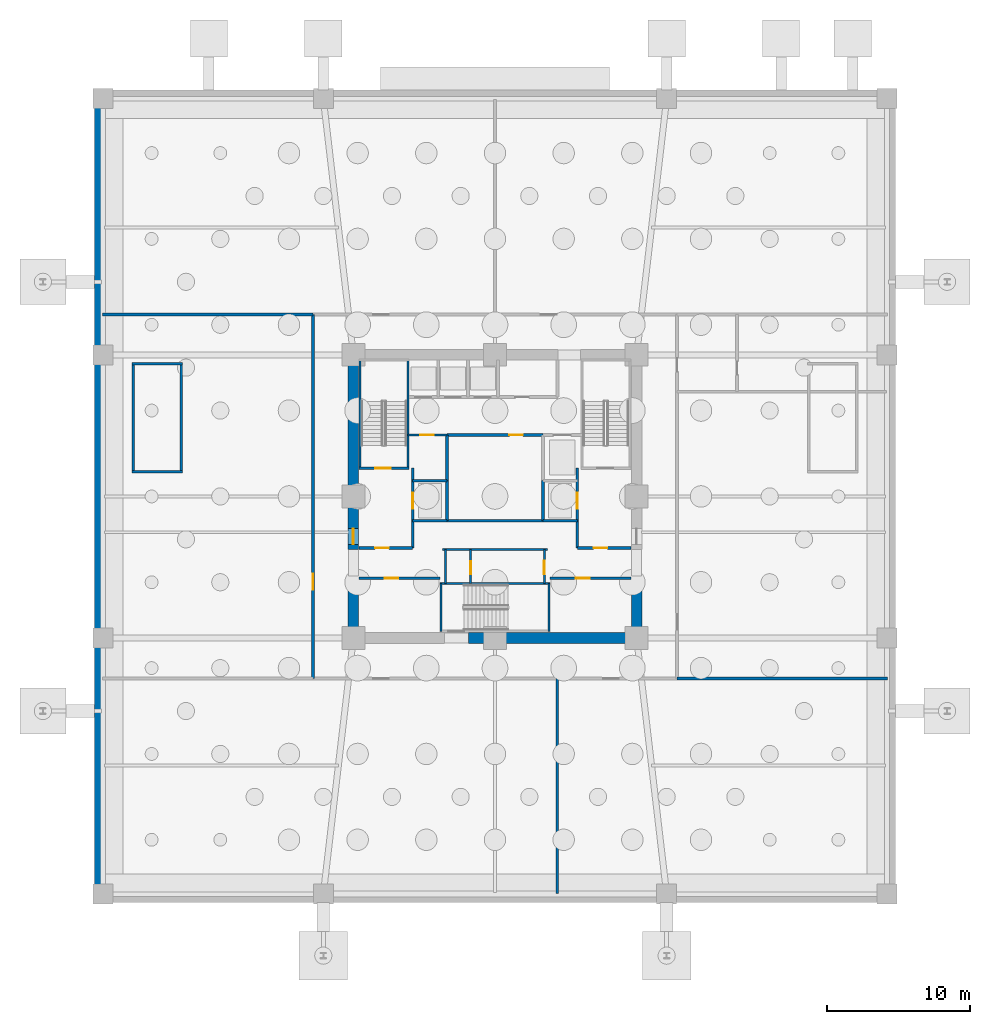
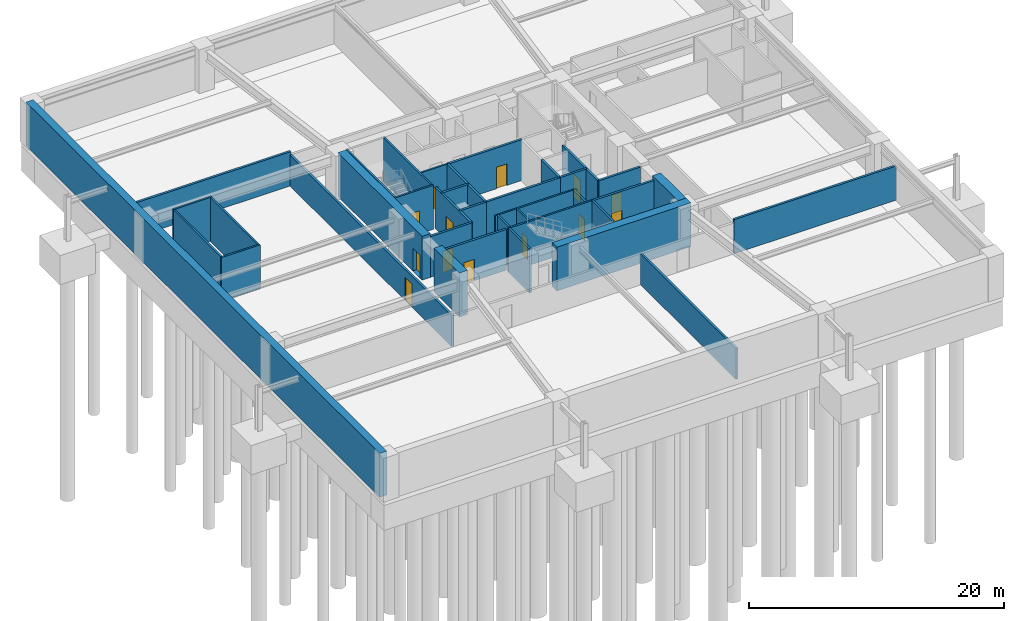
# One storey, part 4 of 8: 38 walls, 13 doors, 13 openings.
"""IFC4 building model written with IfcOpenShell, lengths in metres."""

from ifc_helpers import new_model, si_unit, direction, frame, frame_2d, origin, place, context, subcontext, project, spatial, rectangle, extrude, material, layer, layer_set, type_object, element, fill, save


model = new_model("IFC4")

# Units and contexts
model_context = context("Model", 3, precision=1e-05, world=origin(), true_north=direction((0.0, 1.0)))
body_context = subcontext(model_context, "Body", "Model", "MODEL_VIEW")
ifc_project = project(units=[si_unit("LENGTHUNIT", "METRE"), si_unit("AREAUNIT", "SQUARE_METRE"), si_unit("VOLUMEUNIT", "CUBIC_METRE"), si_unit("PLANEANGLEUNIT", "RADIAN"), si_unit("MASSUNIT", "GRAM", prefix="KILO")], contexts=[model_context])

# Site, building, storey
site_placement = place(None, origin())
site = spatial("IfcSite", under=ifc_project, at=site_placement, CompositionType="ELEMENT")
building_placement = place(site_placement, origin())
building = spatial("IfcBuilding", under=site, at=building_placement, Name="Kolvaren Belvedere", CompositionType="ELEMENT")
storey_placement = place(building_placement, frame((0.0, 0.0, -12.60009765625)))
storey = spatial("IfcBuildingStorey", under=building, at=storey_placement, Name="B03", CompositionType="ELEMENT", Elevation=-12.60009765625)

# Walls
ifc_material_1 = material(Name="Concrete C60/75", Category="concrete")
ifc_layer_1 = layer(ifc_material_1, 0.75)
ifc_layer_set_1 = layer_set([ifc_layer_1], Name="Concrete C60/75")
wall_type_1 = type_object("IfcWallType", Name="CW-CORE-750", PredefinedType="SHEAR", material=ifc_layer_set_1)
wall_1_placement = place(storey_placement, frame((10.27490234375, -9.89990234375, 0.0), z_axis=(0.0, 0.0, 1.0), x_axis=(-1.0, 0.0, 0.0)))
element("IfcWall", 1, at=wall_1_placement, inside=storey, type_object=wall_type_1, Name="B03 South Core Shear Wall 1", PredefinedType="SHEAR", context=body_context, shape_type="SweptSolid", body=[
    extrude(rectangle(XDim=12.135009765625, YDim=0.75, at=frame_2d((6.0673828125, 0.0))), origin(), (0.0, 0.0, 1.0), 4.2001953125),
])
for number, where, z_axis, x_axis, name in (
    (2, (-9.89990234375, -9.52490234375, 0.0), (0.0, 0.0, 1.0), (0.0, 1.0, 0.0), "B03 West Core Shear Wall 1"),
    (3, (9.89990234375, -9.52490234375, 0.0), (0.0, 0.0, 1.0), (0.0, 1.0, 0.0), "B03 East Core Shear Wall 1"),
):
    element("IfcWall", number, at=place(storey_placement, frame(where, z_axis=z_axis, x_axis=x_axis)), inside=storey, type_object=wall_type_1, Name=name, PredefinedType="SHEAR", context=body_context, shape_type="SweptSolid", body=[
        extrude(rectangle(XDim=3.974853515625, YDim=0.75, at=frame_2d((1.9873046875, 0.0))), origin(), (0.0, 0.0, 1.0), 4.2001953125),
    ])

# Wall, opening, door
wall_2_placement = place(storey_placement, frame((-9.89990234375, -3.699951171875, 0.0), z_axis=(0.0, 0.0, 1.0), x_axis=(0.0, 1.0, 0.0)))
wall_2 = element("IfcWall", 4, at=wall_2_placement, inside=storey, type_object=wall_type_1, Name="B03 West Core Shear Wall 2", PredefinedType="SHEAR", context=body_context, shape_type="SweptSolid", body=[
    extrude(rectangle(XDim=13.224853515625, YDim=0.75, at=frame_2d((6.6123046875, 0.0))), origin(), (0.0, 0.0, 1.0), 4.2001953125),
])
opening_1_placement = place(wall_2_placement, frame((0.35009765625, 0.0, 0.0)))
opening_1 = element("IfcOpeningElement", 5, at=opening_1_placement, cuts=wall_2, Name="Opening D-FD90", PredefinedType="OPENING", context=body_context, shape_type="SweptSolid", body=[
    extrude(rectangle(XDim=1.10009765625, YDim=2.199951171875, at=frame_2d((0.550048828125, 1.10009765625))), frame((0.0, 0.385009765625, 0.0), z_axis=(0.0, -1.0, 0.0), x_axis=(1.0, 0.0, 0.0)), (0.0, 0.0, 1.0), 0.77001953125),
])
ifc_material_2 = material(Name="Painted hollow stainless steel", Category="steel")
door_type_1 = type_object("IfcDoorType", Name="DR-FD90-1100", OperationType="NOTDEFINED", PredefinedType="DOOR", material=ifc_material_2)
door_1_placement = place(opening_1_placement, origin())
door_1 = element("IfcDoor", 6, at=door_1_placement, inside=storey, type_object=door_type_1, Name="B03 West Firefighting Lobby Fire Door", OperationType="SINGLE_SWING_LEFT", OverallHeight=2.199951171875, OverallWidth=1.10009765625, PredefinedType="DOOR", context=body_context, shape_type="SweptSolid", body=[
    extrude(rectangle(XDim=1.10009765625, YDim=2.199951171875, at=frame_2d((0.550048828125, 1.10009765625))), frame((0.0, 0.02490234375, 0.0), z_axis=(0.0, -1.0, 0.0), x_axis=(1.0, 0.0, 0.0)), (0.0, 0.0, 1.0), 0.050048828125),
])
fill(opening_1, door_1)

# Walls
ifc_material_3 = material(Name="Concrete C50/60", Category="concrete")
ifc_layer_2 = layer(ifc_material_3, 0.159912109375)
ifc_layer_set_2 = layer_set([ifc_layer_2], Name="Concrete C50/60")
wall_type_2 = type_object("IfcWallType", Name="CW-STAIR-160", PredefinedType="SHEAR", material=ifc_layer_set_2)
for number, where, z_axis, x_axis, name in (
    (7, (-25.360107421875, 1.719970703125, 0.0), (0.0, 0.0, 1.0), (1.0, 0.0, 0.0), "B03 Podium Stair ST-P1 Support Wall S"),
    (8, (-25.360107421875, 9.280029296875, 0.0), (0.0, 0.0, 1.0), (1.0, 0.0, 0.0), "B03 Podium Stair ST-P1 Support Wall N"),
):
    element("IfcWall", number, at=place(storey_placement, frame(where, z_axis=z_axis, x_axis=x_axis)), inside=storey, type_object=wall_type_2, Name=name, PredefinedType="SHEAR", context=body_context, shape_type="SweptSolid", body=[
        extrude(rectangle(XDim=3.510009765625, YDim=0.159912109375, at=frame_2d((1.7548828125, 0.0))), origin(), (0.0, 0.0, 1.0), 4.2001953125),
    ])
for number, where, z_axis, x_axis, name in (
    (9, (-25.280029296875, 1.800048828125, 0.0), (0.0, 0.0, 1.0), (0.0, 1.0, 0.0), "B03 Podium Stair ST-P1 Support Wall W"),
    (10, (-21.929931640625, 1.800048828125, 0.0), (0.0, 0.0, 1.0), (0.0, 1.0, 0.0), "B03 Podium Stair ST-P1 Support Wall E"),
):
    element("IfcWall", number, at=place(storey_placement, frame(where, z_axis=z_axis, x_axis=x_axis)), inside=storey, type_object=wall_type_2, Name=name, PredefinedType="SHEAR", context=body_context, shape_type="SweptSolid", body=[
        extrude(rectangle(XDim=7.39990234375, YDim=0.159912109375, at=frame_2d((3.699951171875, 0.0))), origin(), (0.0, 0.0, 1.0), 4.2001953125),
    ])

# Wall, opening, door
wall_3_placement = place(storey_placement, frame((-9.52001953125, 1.969970703125, 0.0), z_axis=(0.0, 0.0, 1.0), x_axis=(1.0, 0.0, 0.0)))
wall_3 = element("IfcWall", 11, at=wall_3_placement, inside=storey, type_object=wall_type_2, Name="B03 Stair ST-1 South Shear Wall", PredefinedType="SHEAR", context=body_context, shape_type="SweptSolid", body=[
    extrude(rectangle(XDim=3.52001953125, YDim=0.159912109375, at=frame_2d((1.760009765625, 0.0))), origin(), (0.0, 0.0, 1.0), 4.2001953125),
])
opening_2_placement = place(wall_3_placement, frame((1.14990234375, 0.0, 0.0)))
opening_2 = element("IfcOpeningElement", 12, at=opening_2_placement, cuts=wall_3, Name="Opening D-FD90", PredefinedType="OPENING", context=body_context, shape_type="SweptSolid", body=[
    extrude(rectangle(XDim=1.10009765625, YDim=2.199951171875, at=frame_2d((0.550048828125, 1.10009765625))), frame((0.0, 0.08984375, 0.0), z_axis=(0.0, -1.0, 0.0), x_axis=(1.0, 0.0, 0.0)), (0.0, 0.0, 1.0), 0.179931640625),
])
door_2_placement = place(opening_2_placement, origin())
door_2 = element("IfcDoor", 13, at=door_2_placement, inside=storey, type_object=door_type_1, Name="B03 Stair ST-1 Fire Door", OperationType="SINGLE_SWING_LEFT", OverallHeight=2.199951171875, OverallWidth=1.10009765625, PredefinedType="DOOR", context=body_context, shape_type="SweptSolid", body=[
    extrude(rectangle(XDim=1.10009765625, YDim=2.199951171875, at=frame_2d((0.550048828125, 1.10009765625))), frame((0.0, 0.02490234375, 0.0), z_axis=(0.0, -1.0, 0.0), x_axis=(1.0, 0.0, 0.0)), (0.0, 0.0, 1.0), 0.050048828125),
])
fill(opening_2, door_2)

# Walls
for number, where, z_axis, x_axis, name in (
    (14, (-9.429931640625, 1.969970703125, 0.0), (0.0, 0.0, 1.0), (0.0, 1.0, 0.0), "B03 Stair ST-1 West Shear Wall"),
    (15, (-6.080078125, 1.969970703125, 0.0), (0.0, 0.0, 1.0), (0.0, 1.0, 0.0), "B03 Stair ST-1 East Shear Wall"),
):
    element("IfcWall", number, at=place(storey_placement, frame(where, z_axis=z_axis, x_axis=x_axis)), inside=storey, type_object=wall_type_2, Name=name, PredefinedType="SHEAR", context=body_context, shape_type="SweptSolid", body=[
        extrude(rectangle(XDim=7.56005859375, YDim=0.159912109375, at=frame_2d((3.780029296875, 0.0))), origin(), (0.0, 0.0, 1.0), 4.2001953125),
    ])
wall_4_placement = place(storey_placement, frame((-3.860107421875, -6.080078125, 0.0), z_axis=(0.0, 0.0, 1.0), x_axis=(1.0, 0.0, 0.0)))
element("IfcWall", 16, at=wall_4_placement, inside=storey, type_object=wall_type_2, Name="B03 Stair ST-3 North Shear Wall", PredefinedType="SHEAR", context=body_context, shape_type="SweptSolid", body=[
    extrude(rectangle(XDim=7.72021484375, YDim=0.159912109375, at=frame_2d((3.860107421875, 0.0))), origin(), (0.0, 0.0, 1.0), 4.2001953125),
])
for number, where, z_axis, x_axis, name in (
    (17, (-3.780029296875, -9.429931640625, 0.0), (0.0, 0.0, 1.0), (0.0, 1.0, 0.0), "B03 Stair ST-3 West Shear Wall"),
    (18, (3.780029296875, -9.429931640625, 0.0), (0.0, 0.0, 1.0), (0.0, 1.0, 0.0), "B03 Stair ST-3 East Shear Wall"),
):
    element("IfcWall", number, at=place(storey_placement, frame(where, z_axis=z_axis, x_axis=x_axis)), inside=storey, type_object=wall_type_2, Name=name, PredefinedType="SHEAR", context=body_context, shape_type="SweptSolid", body=[
        extrude(rectangle(XDim=3.349853515625, YDim=0.159912109375, at=frame_2d((1.6748046875, 0.0))), origin(), (0.0, 0.0, 1.0), 4.2001953125),
    ])
ifc_material_4 = material(Name="Concrete C50/60", Category="concrete")
ifc_layer_3 = layer(ifc_material_4, 0.64990234375)
ifc_layer_set_3 = layer_set([ifc_layer_3], Name="Concrete C50/60")
wall_type_3 = type_object("IfcWallType", Name="RW-BASE-650", PredefinedType="SHEAR", material=ifc_layer_set_3)
wall_5_placement = place(storey_placement, frame((-27.675048828125, -27.75, 0.0), z_axis=(0.0, 0.0, 1.0), x_axis=(0.0, 1.0, 0.0)))
element("IfcWall", 19, at=wall_5_placement, inside=storey, type_object=wall_type_3, Name="B03 West Perimeter Retaining Wall", PredefinedType="SHEAR", context=body_context, shape_type="SweptSolid", body=[
    extrude(rectangle(XDim=55.5, YDim=0.64990234375, at=frame_2d((27.75, 0.0))), origin(), (0.0, 0.0, 1.0), 4.2001953125),
])
ifc_material_5 = material(Name="Gypsum acoustic partition assembly", Category="gypsum")
ifc_layer_4 = layer(ifc_material_5, 0.14990234375)
ifc_layer_set_4 = layer_set([ifc_layer_4], Name="Gypsum acoustic partition assembly")
wall_type_4 = type_object("IfcWallType", Name="WL-PART-150", PredefinedType="PARTITIONING", material=ifc_layer_set_4)
wall_6_placement = place(storey_placement, frame((-3.679931640625, -3.719970703125, 0.0), z_axis=(0.0, 0.0, 1.0), x_axis=(1.0, 0.0, 0.0)))
element("IfcWall", 20, at=wall_6_placement, inside=storey, type_object=wall_type_4, Name="B03 South Core Service North Wall", PredefinedType="PARTITIONING", context=body_context, shape_type="SweptSolid", body=[
    extrude(rectangle(XDim=7.35986328125, YDim=0.14990234375, at=frame_2d((3.679931640625, 0.0))), origin(), (0.0, 0.0, 1.0), 3.900146484375),
])

# Wall, opening, door
wall_7_placement = place(storey_placement, frame((3.449951171875, -6.080078125, 0.0), z_axis=(0.0, 0.0, 1.0), x_axis=(0.0, 1.0, 0.0)))
wall_7 = element("IfcWall", 21, at=wall_7_placement, inside=storey, type_object=wall_type_4, Name="B03 South Core Service East Wall", PredefinedType="PARTITIONING", context=body_context, shape_type="SweptSolid", body=[
    extrude(rectangle(XDim=2.360107421875, YDim=0.14990234375, at=frame_2d((1.18017578125, 0.0))), origin(), (0.0, 0.0, 1.0), 3.900146484375),
])
opening_3_placement = place(wall_7_placement, frame((0.64990234375, 0.0, 0.0)))
opening_3 = element("IfcOpeningElement", 22, at=opening_3_placement, cuts=wall_7, Name="Opening D-FD60", PredefinedType="OPENING", context=body_context, shape_type="SweptSolid", body=[
    extrude(rectangle(XDim=0.949951171875, YDim=2.06005859375, at=frame_2d((0.47509765625, 1.030029296875))), frame((0.0, 0.0849609375, 0.0), z_axis=(0.0, -1.0, 0.0), x_axis=(1.0, 0.0, 0.0)), (0.0, 0.0, 1.0), 0.169921875),
])
ifc_material_6 = material(Name="Acoustic white-oak fire door leaf", Category="timber")
door_type_2 = type_object("IfcDoorType", Name="DR-FD60-950", OperationType="NOTDEFINED", PredefinedType="DOOR", material=ifc_material_6)
door_3_placement = place(opening_3_placement, origin())
door_3 = element("IfcDoor", 23, at=door_3_placement, inside=storey, type_object=door_type_2, Name="B03 Core Service Room Door", OperationType="SINGLE_SWING_LEFT", OverallHeight=2.06005859375, OverallWidth=0.949951171875, PredefinedType="DOOR", context=body_context, shape_type="SweptSolid", body=[
    extrude(rectangle(XDim=0.949951171875, YDim=2.06005859375, at=frame_2d((0.47509765625, 1.030029296875))), frame((0.0, 0.02490234375, 0.0), z_axis=(0.0, -1.0, 0.0), x_axis=(1.0, 0.0, 0.0)), (0.0, 0.0, 1.0), 0.050048828125),
])
fill(opening_3, door_3)

# Wall
wall_8_placement = place(storey_placement, frame((-3.449951171875, -6.080078125, 0.0), z_axis=(0.0, 0.0, 1.0), x_axis=(0.0, 1.0, 0.0)))
element("IfcWall", 24, at=wall_8_placement, inside=storey, type_object=wall_type_4, Name="B03 South Core Service West Wall", PredefinedType="PARTITIONING", context=body_context, shape_type="SweptSolid", body=[
    extrude(rectangle(XDim=2.360107421875, YDim=0.14990234375, at=frame_2d((1.18017578125, 0.0))), origin(), (0.0, 0.0, 1.0), 3.900146484375),
])

# Wall, opening, door
wall_9_placement = place(storey_placement, frame((-1.699951171875, -6.080078125, 0.0), z_axis=(0.0, 0.0, 1.0), x_axis=(0.0, 1.0, 0.0)))
wall_9 = element("IfcWall", 25, at=wall_9_placement, inside=storey, type_object=wall_type_4, Name="B03 Core Service Divider", PredefinedType="PARTITIONING", context=body_context, shape_type="SweptSolid", body=[
    extrude(rectangle(XDim=2.360107421875, YDim=0.14990234375, at=frame_2d((1.18017578125, 0.0))), origin(), (0.0, 0.0, 1.0), 3.900146484375),
])
opening_4_placement = place(wall_9_placement, frame((0.64990234375, 0.0, 0.0)))
opening_4 = element("IfcOpeningElement", 26, at=opening_4_placement, cuts=wall_9, Name="Opening D-INT90", PredefinedType="OPENING", context=body_context, shape_type="SweptSolid", body=[
    extrude(rectangle(XDim=0.89990234375, YDim=2.06005859375, at=frame_2d((0.449951171875, 1.030029296875))), frame((0.0, 0.0849609375, 0.0), z_axis=(0.0, -1.0, 0.0), x_axis=(1.0, 0.0, 0.0)), (0.0, 0.0, 1.0), 0.169921875),
])
ifc_material_7 = material(Name="Stained Pacific white oak", Category="timber")
door_type_3 = type_object("IfcDoorType", Name="DR-INT-900", OperationType="NOTDEFINED", PredefinedType="DOOR", material=ifc_material_7)
door_4_placement = place(opening_4_placement, origin())
door_4 = element("IfcDoor", 27, at=door_4_placement, inside=storey, type_object=door_type_3, Name="B03 Telecom Inner Door", OperationType="SINGLE_SWING_RIGHT", OverallHeight=2.06005859375, OverallWidth=0.89990234375, PredefinedType="DOOR", context=body_context, shape_type="SweptSolid", body=[
    extrude(rectangle(XDim=0.89990234375, YDim=2.06005859375, at=frame_2d((0.449951171875, 1.030029296875))), frame((0.0, 0.02490234375, 0.0), z_axis=(0.0, -1.0, 0.0), x_axis=(1.0, 0.0, 0.0)), (0.0, 0.0, 1.0), 0.050048828125),
])
fill(opening_4, door_4)

wall_10_placement = place(storey_placement, frame((-6.080078125, 4.300048828125, 0.0), z_axis=(0.0, 0.0, 1.0), x_axis=(1.0, 0.0, 0.0)))
wall_10 = element("IfcWall", 28, at=wall_10_placement, inside=storey, type_object=wall_type_4, Name="B03 NW Service Room North Wall", PredefinedType="PARTITIONING", context=body_context, shape_type="SweptSolid", body=[
    extrude(rectangle(XDim=2.72998046875, YDim=0.14990234375, at=frame_2d((1.364990234375, 0.0))), origin(), (0.0, 0.0, 1.0), 3.900146484375),
])
opening_5_placement = place(wall_10_placement, frame((0.85009765625, 0.0, 0.0)))
opening_5 = element("IfcOpeningElement", 29, at=opening_5_placement, cuts=wall_10, Name="Opening D-FD60", PredefinedType="OPENING", context=body_context, shape_type="SweptSolid", body=[
    extrude(rectangle(XDim=0.949951171875, YDim=2.06005859375, at=frame_2d((0.47509765625, 1.030029296875))), frame((0.0, 0.0849609375, 0.0), z_axis=(0.0, -1.0, 0.0), x_axis=(1.0, 0.0, 0.0)), (0.0, 0.0, 1.0), 0.169921875),
])
door_5_placement = place(opening_5_placement, origin())
door_5 = element("IfcDoor", 30, at=door_5_placement, inside=storey, type_object=door_type_2, Name="B03 NW Core Store Door", OperationType="SINGLE_SWING_RIGHT", OverallHeight=2.06005859375, OverallWidth=0.949951171875, PredefinedType="DOOR", context=body_context, shape_type="SweptSolid", body=[
    extrude(rectangle(XDim=0.949951171875, YDim=2.06005859375, at=frame_2d((0.47509765625, 1.030029296875))), frame((0.0, 0.02490234375, 0.0), z_axis=(0.0, -1.0, 0.0), x_axis=(1.0, 0.0, 0.0)), (0.0, 0.0, 1.0), 0.050048828125),
])
fill(opening_5, door_5)

ifc_material_8 = material(Name="Concrete C50/60", Category="concrete")
ifc_layer_5 = layer(ifc_material_8, 0.199951171875)
ifc_layer_set_5 = layer_set([ifc_layer_5], Name="Concrete C50/60")
wall_type_5 = type_object("IfcWallType", Name="WL-SHAFT-200", PredefinedType="SOLIDWALL", material=ifc_layer_set_5)
wall_11_placement = place(storey_placement, frame((-9.52001953125, -3.60009765625, 0.0), z_axis=(0.0, 0.0, 1.0), x_axis=(1.0, 0.0, 0.0)))
wall_11 = element("IfcWall", 31, at=wall_11_placement, inside=storey, type_object=wall_type_5, Name="B03 West FSAE Lobby South Wall", PredefinedType="SOLIDWALL", context=body_context, shape_type="SweptSolid", body=[
    extrude(rectangle(XDim=3.77001953125, YDim=0.199951171875, at=frame_2d((1.885009765625, 0.0))), origin(), (0.0, 0.0, 1.0), 3.900146484375),
])
opening_6_placement = place(wall_11_placement, frame((1.14990234375, 0.0, 0.0)))
opening_6 = element("IfcOpeningElement", 32, at=opening_6_placement, cuts=wall_11, Name="Opening D-FD60", PredefinedType="OPENING", context=body_context, shape_type="SweptSolid", body=[
    extrude(rectangle(XDim=0.949951171875, YDim=2.06005859375, at=frame_2d((0.47509765625, 1.030029296875))), frame((0.0, 0.10986328125, 0.0), z_axis=(0.0, -1.0, 0.0), x_axis=(1.0, 0.0, 0.0)), (0.0, 0.0, 1.0), 0.219970703125),
])
door_6_placement = place(opening_6_placement, origin())
door_6 = element("IfcDoor", 33, at=door_6_placement, inside=storey, type_object=door_type_2, Name="B03 SW Lift Lobby Fire Door", OperationType="SINGLE_SWING_LEFT", OverallHeight=2.06005859375, OverallWidth=0.949951171875, PredefinedType="DOOR", context=body_context, shape_type="SweptSolid", body=[
    extrude(rectangle(XDim=0.949951171875, YDim=2.06005859375, at=frame_2d((0.47509765625, 1.030029296875))), frame((0.0, 0.02490234375, 0.0), z_axis=(0.0, -1.0, 0.0), x_axis=(1.0, 0.0, 0.0)), (0.0, 0.0, 1.0), 0.050048828125),
])
fill(opening_6, door_6)

wall_12_placement = place(storey_placement, frame((-5.75, -3.60009765625, 0.0), z_axis=(0.0, 0.0, 1.0), x_axis=(0.0, 1.0, 0.0)))
wall_12 = element("IfcWall", 34, at=wall_12_placement, inside=storey, type_object=wall_type_5, Name="B03 FSAE FS1 Landing Wall", PredefinedType="SOLIDWALL", context=body_context, shape_type="SweptSolid", body=[
    extrude(rectangle(XDim=5.570068359375, YDim=0.199951171875, at=frame_2d((2.78515625, 0.0))), origin(), (0.0, 0.0, 1.0), 3.900146484375),
])
opening_7_placement = place(wall_12_placement, frame((2.75, 0.0, 0.0)))
opening_7 = element("IfcOpeningElement", 35, at=opening_7_placement, cuts=wall_12, Name="Opening LD-11", PredefinedType="OPENING", context=body_context, shape_type="SweptSolid", body=[
    extrude(rectangle(XDim=1.10009765625, YDim=2.199951171875, at=frame_2d((0.550048828125, 1.10009765625))), frame((0.0, 0.10986328125, 0.0), z_axis=(0.0, -1.0, 0.0), x_axis=(1.0, 0.0, 0.0)), (0.0, 0.0, 1.0), 0.219970703125),
])
ifc_material_9 = material(Name="Brushed stainless steel", Category="steel")
door_type_4 = type_object("IfcDoorType", Name="DR-LIFT-1100", OperationType="DOUBLE_DOOR_SLIDING", PredefinedType="DOOR", material=ifc_material_9)
door_7_placement = place(opening_7_placement, origin())
door_7 = element("IfcDoor", 36, at=door_7_placement, inside=storey, type_object=door_type_4, Name="B03 Firefighting Lift FS1 Landing Door", OperationType="DOUBLE_DOOR_SLIDING", OverallHeight=2.199951171875, OverallWidth=1.10009765625, PredefinedType="DOOR", context=body_context, shape_type="SweptSolid", body=[
    extrude(rectangle(XDim=1.10009765625, YDim=2.199951171875, at=frame_2d((0.550048828125, 1.10009765625))), frame((0.0, 0.02490234375, 0.0), z_axis=(0.0, -1.0, 0.0), x_axis=(1.0, 0.0, 0.0)), (0.0, 0.0, 1.0), 0.050048828125),
])
fill(opening_7, door_7)

# Walls
wall_13_placement = place(storey_placement, frame((-3.35009765625, -1.699951171875, 0.0), z_axis=(0.0, 0.0, 1.0), x_axis=(0.0, 1.0, 0.0)))
element("IfcWall", 37, at=wall_13_placement, inside=storey, type_object=wall_type_5, Name="B03 FSAE FS1 Back Wall", PredefinedType="SOLIDWALL", context=body_context, shape_type="SweptSolid", body=[
    extrude(rectangle(XDim=2.800048828125, YDim=0.199951171875, at=frame_2d((1.39990234375, 0.0))), origin(), (0.0, 0.0, 1.0), 3.900146484375),
])
for number, where, z_axis, x_axis, name in (
    (38, (-5.75, -1.699951171875, 0.0), (0.0, 0.0, 1.0), (1.0, 0.0, 0.0), "B03 FSAE FS1 South Wall"),
    (39, (-5.75, 1.10009765625, 0.0), (0.0, 0.0, 1.0), (1.0, 0.0, 0.0), "B03 FSAE FS1 North Wall"),
):
    element("IfcWall", number, at=place(storey_placement, frame(where, z_axis=z_axis, x_axis=x_axis)), inside=storey, type_object=wall_type_5, Name=name, PredefinedType="SOLIDWALL", context=body_context, shape_type="SweptSolid", body=[
        extrude(rectangle(XDim=2.39990234375, YDim=0.199951171875, at=frame_2d((1.199951171875, 0.0))), origin(), (0.0, 0.0, 1.0), 3.900146484375),
    ])

# Wall, opening, door
wall_14_placement = place(storey_placement, frame((5.75, -3.60009765625, 0.0), z_axis=(0.0, 0.0, 1.0), x_axis=(1.0, 0.0, 0.0)))
wall_14 = element("IfcWall", 40, at=wall_14_placement, inside=storey, type_object=wall_type_5, Name="B03 East FSAE Lobby South Wall", PredefinedType="SOLIDWALL", context=body_context, shape_type="SweptSolid", body=[
    extrude(rectangle(XDim=3.77001953125, YDim=0.199951171875, at=frame_2d((1.885009765625, 0.0))), origin(), (0.0, 0.0, 1.0), 3.900146484375),
])
opening_8_placement = place(wall_14_placement, frame((1.14990234375, 0.0, 0.0)))
opening_8 = element("IfcOpeningElement", 41, at=opening_8_placement, cuts=wall_14, Name="Opening D-FD60", PredefinedType="OPENING", context=body_context, shape_type="SweptSolid", body=[
    extrude(rectangle(XDim=0.949951171875, YDim=2.06005859375, at=frame_2d((0.47509765625, 1.030029296875))), frame((0.0, 0.10986328125, 0.0), z_axis=(0.0, -1.0, 0.0), x_axis=(1.0, 0.0, 0.0)), (0.0, 0.0, 1.0), 0.219970703125),
])
door_8_placement = place(opening_8_placement, origin())
door_8 = element("IfcDoor", 42, at=door_8_placement, inside=storey, type_object=door_type_2, Name="B03 SE Lift Lobby Fire Door", OperationType="SINGLE_SWING_RIGHT", OverallHeight=2.06005859375, OverallWidth=0.949951171875, PredefinedType="DOOR", context=body_context, shape_type="SweptSolid", body=[
    extrude(rectangle(XDim=0.949951171875, YDim=2.06005859375, at=frame_2d((0.47509765625, 1.030029296875))), frame((0.0, 0.02490234375, 0.0), z_axis=(0.0, -1.0, 0.0), x_axis=(1.0, 0.0, 0.0)), (0.0, 0.0, 1.0), 0.050048828125),
])
fill(opening_8, door_8)

wall_15_placement = place(storey_placement, frame((5.75, -3.60009765625, 0.0), z_axis=(0.0, 0.0, 1.0), x_axis=(0.0, 1.0, 0.0)))
wall_15 = element("IfcWall", 43, at=wall_15_placement, inside=storey, type_object=wall_type_5, Name="B03 FSAE FS2 Landing Wall", PredefinedType="SOLIDWALL", context=body_context, shape_type="SweptSolid", body=[
    extrude(rectangle(XDim=5.570068359375, YDim=0.199951171875, at=frame_2d((2.78515625, 0.0))), origin(), (0.0, 0.0, 1.0), 3.900146484375),
])
opening_9_placement = place(wall_15_placement, frame((2.75, 0.0, 0.0)))
opening_9 = element("IfcOpeningElement", 44, at=opening_9_placement, cuts=wall_15, Name="Opening LD-11", PredefinedType="OPENING", context=body_context, shape_type="SweptSolid", body=[
    extrude(rectangle(XDim=1.10009765625, YDim=2.199951171875, at=frame_2d((0.550048828125, 1.10009765625))), frame((0.0, 0.10986328125, 0.0), z_axis=(0.0, -1.0, 0.0), x_axis=(1.0, 0.0, 0.0)), (0.0, 0.0, 1.0), 0.219970703125),
])
door_9_placement = place(opening_9_placement, origin())
door_9 = element("IfcDoor", 45, at=door_9_placement, inside=storey, type_object=door_type_4, Name="B03 Firefighting Lift FS2 Landing Door", OperationType="DOUBLE_DOOR_SLIDING", OverallHeight=2.199951171875, OverallWidth=1.10009765625, PredefinedType="DOOR", context=body_context, shape_type="SweptSolid", body=[
    extrude(rectangle(XDim=1.10009765625, YDim=2.199951171875, at=frame_2d((0.550048828125, 1.10009765625))), frame((0.0, 0.02490234375, 0.0), z_axis=(0.0, -1.0, 0.0), x_axis=(1.0, 0.0, 0.0)), (0.0, 0.0, 1.0), 0.050048828125),
])
fill(opening_9, door_9)

# Walls
wall_16_placement = place(storey_placement, frame((3.35009765625, -1.699951171875, 0.0), z_axis=(0.0, 0.0, 1.0), x_axis=(0.0, 1.0, 0.0)))
element("IfcWall", 46, at=wall_16_placement, inside=storey, type_object=wall_type_5, Name="B03 FSAE FS2 Back Wall", PredefinedType="SOLIDWALL", context=body_context, shape_type="SweptSolid", body=[
    extrude(rectangle(XDim=2.800048828125, YDim=0.199951171875, at=frame_2d((1.39990234375, 0.0))), origin(), (0.0, 0.0, 1.0), 3.900146484375),
])
wall_17_placement = place(storey_placement, frame((3.35009765625, -1.699951171875, 0.0), z_axis=(0.0, 0.0, 1.0), x_axis=(1.0, 0.0, 0.0)))
element("IfcWall", 47, at=wall_17_placement, inside=storey, type_object=wall_type_5, Name="B03 FSAE FS2 South Wall", PredefinedType="SOLIDWALL", context=body_context, shape_type="SweptSolid", body=[
    extrude(rectangle(XDim=2.39990234375, YDim=0.199951171875, at=frame_2d((1.199951171875, 0.0))), origin(), (0.0, 0.0, 1.0), 3.900146484375),
])

# Wall, opening, door
wall_18_placement = place(storey_placement, frame((-9.52001953125, -5.719970703125, 0.0), z_axis=(0.0, 0.0, 1.0), x_axis=(1.0, 0.0, 0.0)))
wall_18 = element("IfcWall", 48, at=wall_18_placement, inside=storey, type_object=wall_type_5, Name="B03 SW Core Reserve Wall", PredefinedType="SOLIDWALL", context=body_context, shape_type="SweptSolid", body=[
    extrude(rectangle(XDim=5.659912109375, YDim=0.199951171875, at=frame_2d((2.830078125, 0.0))), origin(), (0.0, 0.0, 1.0), 3.900146484375),
])
opening_10_placement = place(wall_18_placement, frame((1.800048828125, 0.0, 0.0)))
opening_10 = element("IfcOpeningElement", 49, at=opening_10_placement, cuts=wall_18, Name="Opening D-FD60", PredefinedType="OPENING", context=body_context, shape_type="SweptSolid", body=[
    extrude(rectangle(XDim=0.949951171875, YDim=2.06005859375, at=frame_2d((0.47509765625, 1.030029296875))), frame((0.0, 0.10986328125, 0.0), z_axis=(0.0, -1.0, 0.0), x_axis=(1.0, 0.0, 0.0)), (0.0, 0.0, 1.0), 0.219970703125),
])
door_10_placement = place(opening_10_placement, origin())
door_10 = element("IfcDoor", 50, at=door_10_placement, inside=storey, type_object=door_type_2, Name="B03 SW Core Room Door", OperationType="SINGLE_SWING_LEFT", OverallHeight=2.06005859375, OverallWidth=0.949951171875, PredefinedType="DOOR", context=body_context, shape_type="SweptSolid", body=[
    extrude(rectangle(XDim=0.949951171875, YDim=2.06005859375, at=frame_2d((0.47509765625, 1.030029296875))), frame((0.0, 0.02490234375, 0.0), z_axis=(0.0, -1.0, 0.0), x_axis=(1.0, 0.0, 0.0)), (0.0, 0.0, 1.0), 0.050048828125),
])
fill(opening_10, door_10)

wall_19_placement = place(storey_placement, frame((3.860107421875, -5.719970703125, 0.0), z_axis=(0.0, 0.0, 1.0), x_axis=(1.0, 0.0, 0.0)))
wall_19 = element("IfcWall", 51, at=wall_19_placement, inside=storey, type_object=wall_type_5, Name="B03 SE Core Distribution Wall", PredefinedType="SOLIDWALL", context=body_context, shape_type="SweptSolid", body=[
    extrude(rectangle(XDim=5.659912109375, YDim=0.199951171875, at=frame_2d((2.830078125, 0.0))), origin(), (0.0, 0.0, 1.0), 3.900146484375),
])
opening_11_placement = place(wall_19_placement, frame((1.800048828125, 0.0, 0.0)))
opening_11 = element("IfcOpeningElement", 52, at=opening_11_placement, cuts=wall_19, Name="Opening D-FD60", PredefinedType="OPENING", context=body_context, shape_type="SweptSolid", body=[
    extrude(rectangle(XDim=0.949951171875, YDim=2.06005859375, at=frame_2d((0.47509765625, 1.030029296875))), frame((0.0, 0.10986328125, 0.0), z_axis=(0.0, -1.0, 0.0), x_axis=(1.0, 0.0, 0.0)), (0.0, 0.0, 1.0), 0.219970703125),
])
door_11_placement = place(opening_11_placement, origin())
door_11 = element("IfcDoor", 53, at=door_11_placement, inside=storey, type_object=door_type_2, Name="B03 Substructure Switchgear Mechanical Plant Door", OperationType="SINGLE_SWING_RIGHT", OverallHeight=2.06005859375, OverallWidth=0.949951171875, PredefinedType="DOOR", context=body_context, shape_type="SweptSolid", body=[
    extrude(rectangle(XDim=0.949951171875, YDim=2.06005859375, at=frame_2d((0.47509765625, 1.030029296875))), frame((0.0, 0.02490234375, 0.0), z_axis=(0.0, -1.0, 0.0), x_axis=(1.0, 0.0, 0.0)), (0.0, 0.0, 1.0), 0.050048828125),
])
fill(opening_11, door_11)

wall_20_placement = place(storey_placement, frame((-3.35009765625, 4.300048828125, 0.0), z_axis=(0.0, 0.0, 1.0), x_axis=(1.0, 0.0, 0.0)))
wall_20 = element("IfcWall", 54, at=wall_20_placement, inside=storey, type_object=wall_type_5, Name="B03 Central Core Room North Wall", PredefinedType="SOLIDWALL", context=body_context, shape_type="SweptSolid", body=[
    extrude(rectangle(XDim=6.7001953125, YDim=0.199951171875, at=frame_2d((3.35009765625, 0.0))), origin(), (0.0, 0.0, 1.0), 3.900146484375),
])
opening_12_placement = place(wall_20_placement, frame((4.35009765625, 0.0, 0.0)))
opening_12 = element("IfcOpeningElement", 55, at=opening_12_placement, cuts=wall_20, Name="Opening D-FD60", PredefinedType="OPENING", context=body_context, shape_type="SweptSolid", body=[
    extrude(rectangle(XDim=0.949951171875, YDim=2.06005859375, at=frame_2d((0.47509765625, 1.030029296875))), frame((0.0, 0.10986328125, 0.0), z_axis=(0.0, -1.0, 0.0), x_axis=(1.0, 0.0, 0.0)), (0.0, 0.0, 1.0), 0.219970703125),
])
door_12_placement = place(opening_12_placement, origin())
door_12 = element("IfcDoor", 56, at=door_12_placement, inside=storey, type_object=door_type_2, Name="B03 Central Core Controls Door", OperationType="SINGLE_SWING_LEFT", OverallHeight=2.06005859375, OverallWidth=0.949951171875, PredefinedType="DOOR", context=body_context, shape_type="SweptSolid", body=[
    extrude(rectangle(XDim=0.949951171875, YDim=2.06005859375, at=frame_2d((0.47509765625, 1.030029296875))), frame((0.0, 0.02490234375, 0.0), z_axis=(0.0, -1.0, 0.0), x_axis=(1.0, 0.0, 0.0)), (0.0, 0.0, 1.0), 0.050048828125),
])
fill(opening_12, door_12)

# Walls
wall_21_placement = place(storey_placement, frame((-3.35009765625, -1.699951171875, 0.0), z_axis=(0.0, 0.0, 1.0), x_axis=(1.0, 0.0, 0.0)))
element("IfcWall", 57, at=wall_21_placement, inside=storey, type_object=wall_type_5, Name="B03 Central Core Room South Wall", PredefinedType="SOLIDWALL", context=body_context, shape_type="SweptSolid", body=[
    extrude(rectangle(XDim=6.7001953125, YDim=0.199951171875, at=frame_2d((3.35009765625, 0.0))), origin(), (0.0, 0.0, 1.0), 3.900146484375),
])
wall_22_placement = place(storey_placement, frame((-3.35009765625, 1.10009765625, 0.0), z_axis=(0.0, 0.0, 1.0), x_axis=(0.0, 1.0, 0.0)))
element("IfcWall", 58, at=wall_22_placement, inside=storey, type_object=wall_type_5, Name="B03 Central Core Room West Wall", PredefinedType="SOLIDWALL", context=body_context, shape_type="SweptSolid", body=[
    extrude(rectangle(XDim=3.199951171875, YDim=0.199951171875, at=frame_2d((1.60009765625, 0.0))), origin(), (0.0, 0.0, 1.0), 3.900146484375),
])

# Wall, opening, door
wall_23_placement = place(storey_placement, frame((-12.719970703125, -12.719970703125, 0.0), z_axis=(0.0, 0.0, 1.0), x_axis=(0.0, 1.0, 0.0)))
wall_23 = element("IfcWall", 59, at=wall_23_placement, inside=storey, type_object=wall_type_5, Name="B03 West Corridor Wall", PredefinedType="SOLIDWALL", context=body_context, shape_type="SweptSolid", body=[
    extrude(rectangle(XDim=25.43994140625, YDim=0.199951171875, at=frame_2d((12.719970703125, 0.0))), origin(), (0.0, 0.0, 1.0), 2.9580078125),
])
opening_13_placement = place(wall_23_placement, frame((6.199951171875, 0.0, 0.0)))
opening_13 = element("IfcOpeningElement", 60, at=opening_13_placement, cuts=wall_23, Name="Opening D-FD90", PredefinedType="OPENING", context=body_context, shape_type="SweptSolid", body=[
    extrude(rectangle(XDim=1.10009765625, YDim=2.199951171875, at=frame_2d((0.550048828125, 1.10009765625))), frame((0.0, 0.10986328125, 0.0), z_axis=(0.0, -1.0, 0.0), x_axis=(1.0, 0.0, 0.0)), (0.0, 0.0, 1.0), 0.219970703125),
])
door_13_placement = place(opening_13_placement, origin())
door_13 = element("IfcDoor", 61, at=door_13_placement, inside=storey, type_object=door_type_1, Name="B03 Primary 26kV Substation Mechanical Plant Door", OperationType="SINGLE_SWING_LEFT", OverallHeight=2.199951171875, OverallWidth=1.10009765625, PredefinedType="DOOR", context=body_context, shape_type="SweptSolid", body=[
    extrude(rectangle(XDim=1.10009765625, YDim=2.199951171875, at=frame_2d((0.550048828125, 1.10009765625))), frame((0.0, 0.02490234375, 0.0), z_axis=(0.0, -1.0, 0.0), x_axis=(1.0, 0.0, 0.0)), (0.0, 0.0, 1.0), 0.050048828125),
])
fill(opening_13, door_13)

# Walls
for number, where, z_axis, x_axis, name in (
    (62, (12.719970703125, -12.719970703125, 0.0), (0.0, 0.0, 1.0), (1.0, 0.0, 0.0), "B03 Sector Wall PW-B03-QSE"),
    (63, (-27.43994140625, 12.719970703125, 0.0), (0.0, 0.0, 1.0), (1.0, 0.0, 0.0), "B03 Sector Wall PW-B03-QNW"),
):
    element("IfcWall", number, at=place(storey_placement, frame(where, z_axis=z_axis, x_axis=x_axis)), inside=storey, type_object=wall_type_5, Name=name, PredefinedType="SOLIDWALL", context=body_context, shape_type="SweptSolid", body=[
        extrude(rectangle(XDim=14.719970703125, YDim=0.199951171875, at=frame_2d((7.35986328125, 0.0))), origin(), (0.0, 0.0, 1.0), 3.26904296875),
    ])
wall_24_placement = place(storey_placement, frame((4.35009765625, -27.75, 0.0), z_axis=(0.0, 0.0, 1.0), x_axis=(0.0, 1.0, 0.0)))
element("IfcWall", 64, at=wall_24_placement, inside=storey, type_object=wall_type_5, Name="B03 South Plant Divider", PredefinedType="SOLIDWALL", context=body_context, shape_type="SweptSolid", body=[
    extrude(rectangle(XDim=15.030029296875, YDim=0.199951171875, at=frame_2d((7.51513671875, 0.0))), origin(), (0.0, 0.0, 1.0), 2.93701171875),
])

save(model, "model.ifc")
